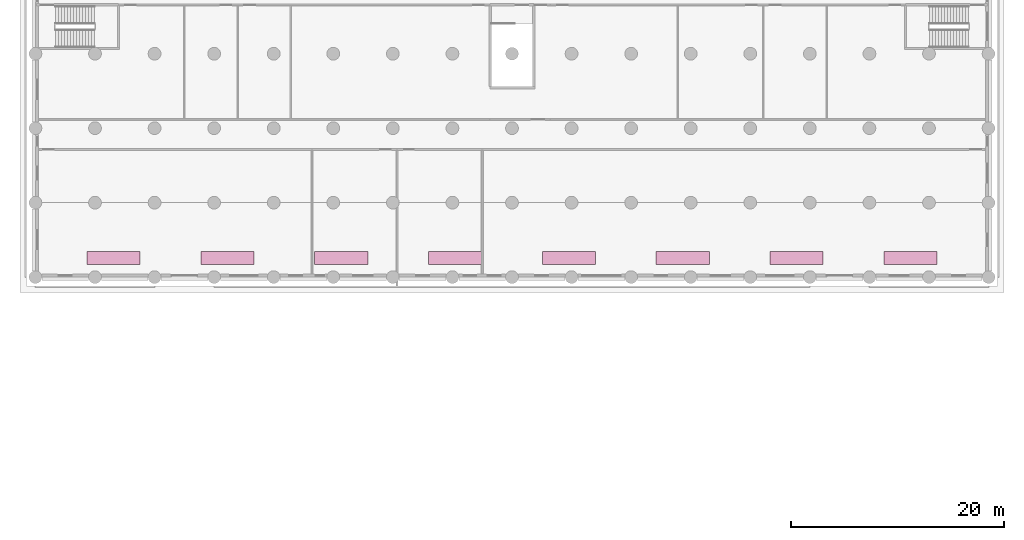
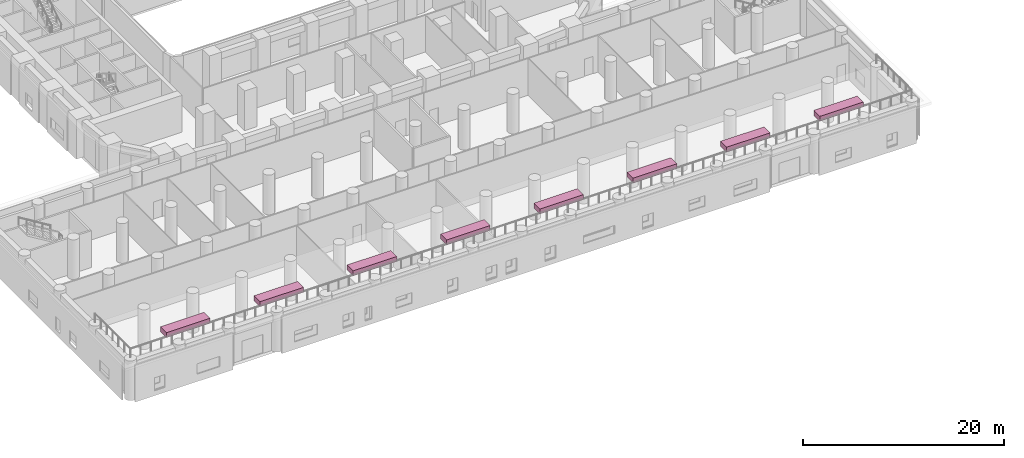
# One storey, part 24 of 24: 8 furnishings.
"""IFC4 building model written with IfcOpenShell, lengths in metres."""

from ifc_helpers import new_model, si_unit, direction, frame, origin, origin_2d, place, context, subcontext, project, spatial, rectangle, extrude, material, type_object, element, save


model = new_model("IFC4")

# Units and contexts
model_context = context("Model", 3, precision=1e-05, world=origin(), true_north=direction((0.0, 1.0)))
body_context = subcontext(model_context, "Body", "Model", "MODEL_VIEW")
ifc_project = project(units=[si_unit("LENGTHUNIT", "METRE"), si_unit("AREAUNIT", "SQUARE_METRE"), si_unit("VOLUMEUNIT", "CUBIC_METRE"), si_unit("PLANEANGLEUNIT", "RADIAN"), si_unit("MASSUNIT", "GRAM", prefix="KILO")], contexts=[model_context])

# Site, building, storey
site_placement = place(None, origin())
site = spatial("IfcSite", under=ifc_project, at=site_placement, CompositionType="ELEMENT")
building_placement = place(site_placement, origin())
building = spatial("IfcBuilding", under=site, at=building_placement, Name="Kiln Ring Residences", CompositionType="ELEMENT")
storey_placement = place(building_placement, frame((0.0, 0.0, 11.300048828125)))
storey = spatial("IfcBuildingStorey", under=building, at=storey_placement, Name="L02", CompositionType="ELEMENT", Elevation=11.300048828125)

# Furnishings
ifc_material = material(Name="Brick masonry, dark clay brick", Category="masonry")
furnishing_element_type = type_object("IfcFurnishingElementType", Name="PLANTER 1200 x 600", material=ifc_material)
for number, where, z_axis, x_axis, name in (
    (1, (-37.449951171875, -48.60009765625, 4.7998046875), (0.0, 0.0, 1.0), (1.0, 0.0, 0.0), "PLANTER L02 1"),
    (2, (-26.75, -48.60009765625, 4.7998046875), (0.0, 0.0, 1.0), (1.0, 0.0, 0.0), "PLANTER L02 2"),
    (3, (-16.050048828125, -48.60009765625, 4.7998046875), (0.0, 0.0, 1.0), (1.0, 0.0, 0.0), "PLANTER L02 3"),
    (4, (-5.35009765625, -48.60009765625, 4.7998046875), (0.0, 0.0, 1.0), (1.0, 0.0, 0.0), "PLANTER L02 4"),
    (5, (5.35009765625, -48.60009765625, 4.7998046875), (0.0, 0.0, 1.0), (1.0, 0.0, 0.0), "PLANTER L02 5"),
    (6, (16.050048828125, -48.60009765625, 4.7998046875), (0.0, 0.0, 1.0), (1.0, 0.0, 0.0), "PLANTER L02 6"),
    (7, (26.75, -48.60009765625, 4.7998046875), (0.0, 0.0, 1.0), (1.0, 0.0, 0.0), "PLANTER L02 7"),
    (8, (37.449951171875, -48.60009765625, 4.7998046875), (0.0, 0.0, 1.0), (1.0, 0.0, 0.0), "PLANTER L02 8"),
):
    element("IfcFurnishingElement", number, at=place(storey_placement, frame(where, z_axis=z_axis, x_axis=x_axis)), inside=storey, type_object=furnishing_element_type, Name=name, ObjectType="PLANTER", context=body_context, shape_type="SweptSolid", body=[
        extrude(rectangle(XDim=5.0, YDim=1.199951171875, at=origin_2d()), origin(), (0.0, 0.0, 1.0), 0.60009765625),
    ])

save(model, "model.ifc")
